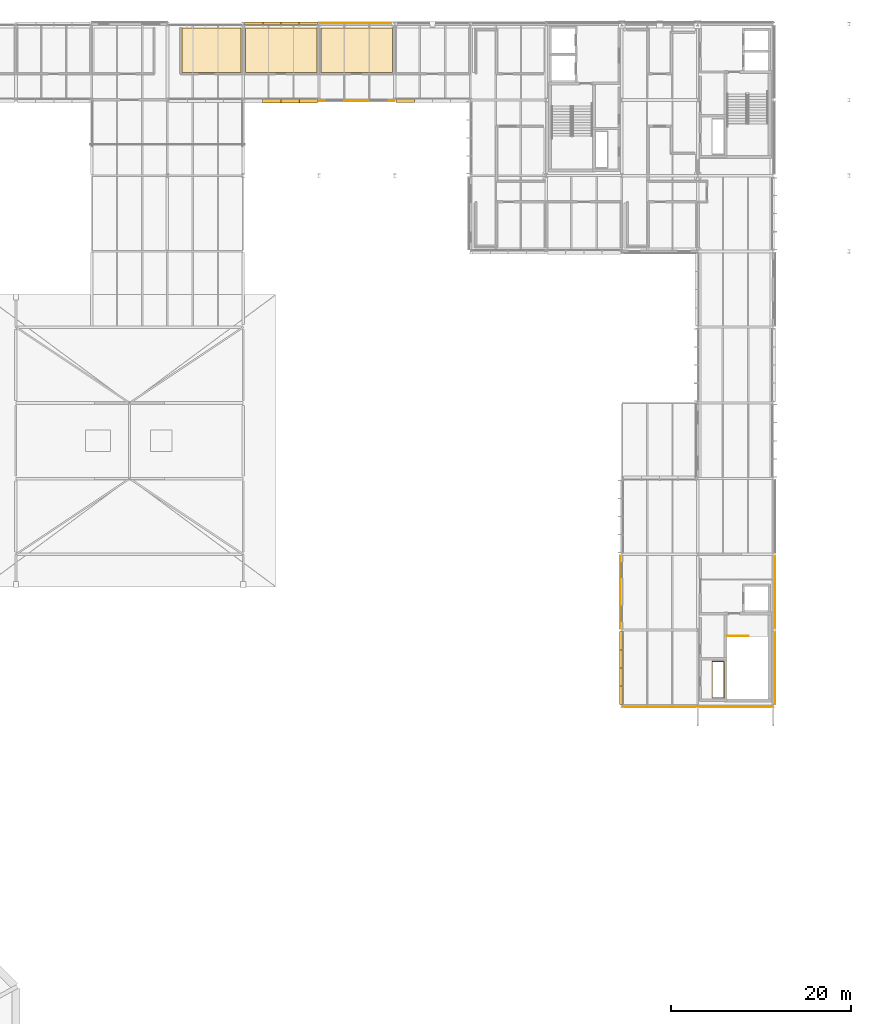
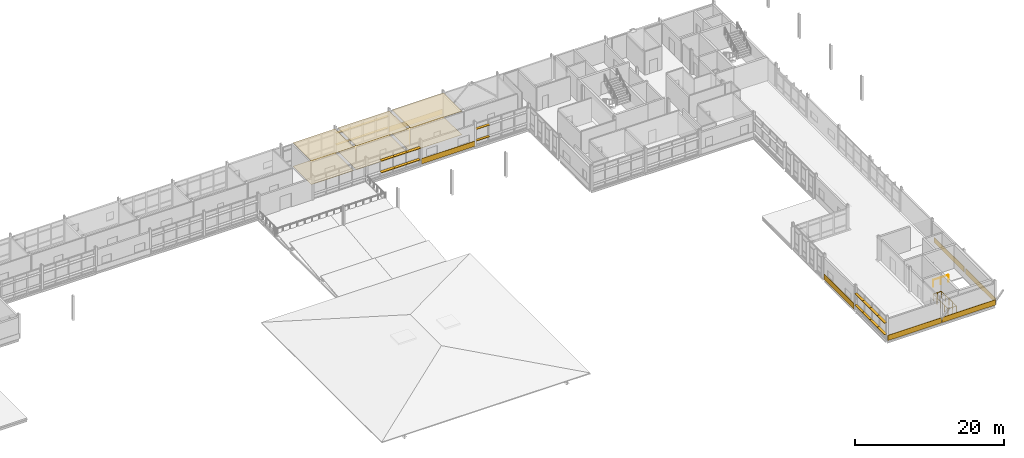
# One storey, part 61 of 66: 24 shading devices, 13 coverings, 2 railings.
"""IFC4 building model written with IfcOpenShell, lengths in metres."""

from ifc_helpers import new_model, si_unit, direction, frame, origin, origin_2d, place, context, subcontext, project, spatial, polyline, rectangle, circle, outline, extrude, material, layer, layer_set, type_object, element, save


model = new_model("IFC4")

# Units and contexts
model_context = context("Model", 3, precision=1e-05, world=origin(), true_north=direction((0.0, 1.0)))
body_context = subcontext(model_context, "Body", "Model", "MODEL_VIEW")
ifc_project = project(units=[si_unit("LENGTHUNIT", "METRE"), si_unit("AREAUNIT", "SQUARE_METRE"), si_unit("VOLUMEUNIT", "CUBIC_METRE"), si_unit("PLANEANGLEUNIT", "RADIAN"), si_unit("MASSUNIT", "GRAM", prefix="KILO")], contexts=[model_context])

# Site, building, storey
site_placement = place(None, origin())
site = spatial("IfcSite", under=ifc_project, at=site_placement, CompositionType="ELEMENT")
building_placement = place(site_placement, origin())
building = spatial("IfcBuilding", under=site, at=building_placement, Name="Mersafa Astral City Hall", CompositionType="ELEMENT")
storey_placement = place(building_placement, frame((0.0, 0.0, 22.050048828125)))
storey = spatial("IfcBuildingStorey", under=building, at=storey_placement, Name="L05", CompositionType="ELEMENT", Elevation=22.050048828125)

# Coverings
ifc_material_1 = material(Name="Cairo Mokattam buff limestone cladding", Category="masonry")
ifc_layer_1 = layer(ifc_material_1, 0.06005859375, Name="Cairo Mokattam buff limestone cladding")
ifc_layer_set_1 = layer_set([ifc_layer_1], Name="Cairo Mokattam buff limestone cladding — ENV-COV-LIMESTONE-60")
covering_type_1 = type_object("IfcCoveringType", Name="ENV-COV-LIMESTONE-60", PredefinedType="CLADDING", material=ifc_layer_set_1)
covering_1_placement = place(storey_placement, frame((159.445556640625, 63.0, 0.0), z_axis=(0.0, 0.0, 1.0), x_axis=(0.0, -1.0, 0.0)))
element("IfcCovering", 1, at=covering_1_placement, inside=storey, type_object=covering_type_1, Name="L05 Cairo buff limestone rainscreen cladding 317", PredefinedType="CLADDING", context=body_context, shape_type="SweptSolid", body=[
    extrude(rectangle(XDim=8.048095703125, YDim=0.06005859375, at=origin_2d()), origin(), (0.0, 0.0, 1.0), 0.860107421875),
])
for number, where, z_axis, x_axis, name in (
    (2, (163.800048828125, 50.2529296875, 0.0), (0.0, 0.0, 1.0), (1.0, 0.0, 0.0), "L05 Cairo buff limestone rainscreen cladding 318"),
    (3, (172.199951171875, 50.260498046875, 0.0), (0.0, 0.0, 1.0), (1.0, 0.0, 0.0), "L05 Cairo buff limestone rainscreen cladding 319"),
):
    element("IfcCovering", number, at=place(storey_placement, frame(where, z_axis=z_axis, x_axis=x_axis)), inside=storey, type_object=covering_type_1, Name=name, PredefinedType="CLADDING", context=body_context, shape_type="SweptSolid", body=[
        extrude(rectangle(XDim=8.323974609375, YDim=0.06005859375, at=origin_2d()), origin(), (0.0, 0.0, 1.0), 0.860107421875),
    ])
for number, where, z_axis, x_axis, name in (
    (4, (176.576904296875, 54.60009765625, 0.0), (0.0, 0.0, 1.0), (0.0, 1.0, 0.0), "L05 Cairo buff limestone rainscreen cladding 320"),
    (5, (176.569580078125, 63.0, 0.0), (0.0, 0.0, 1.0), (0.0, 1.0, 0.0), "L05 Cairo buff limestone rainscreen cladding 321"),
):
    element("IfcCovering", number, at=place(storey_placement, frame(where, z_axis=z_axis, x_axis=x_axis)), inside=storey, type_object=covering_type_1, Name=name, PredefinedType="CLADDING", context=body_context, shape_type="SweptSolid", body=[
        extrude(rectangle(XDim=8.048095703125, YDim=0.06005859375, at=origin_2d()), origin(), (0.0, 0.0, 1.0), 0.860107421875),
    ])
for number, where, z_axis, x_axis, name in (
    (6, (130.199951171875, 126.139404296875, 0.0), (0.0, 0.0, 1.0), (-1.0, 0.0, 0.0), "L05 Cairo buff limestone rainscreen cladding 331"),
    (7, (130.199951171875, 117.46044921875, 0.0), (0.0, 0.0, 1.0), (1.0, 0.0, 0.0), "L05 Cairo buff limestone rainscreen cladding 342"),
):
    element("IfcCovering", number, at=place(storey_placement, frame(where, z_axis=z_axis, x_axis=x_axis)), inside=storey, type_object=covering_type_1, Name=name, PredefinedType="CLADDING", context=body_context, shape_type="SweptSolid", body=[
        extrude(rectangle(XDim=8.323974609375, YDim=0.06005859375, at=origin_2d()), origin(), (0.0, 0.0, 1.0), 0.860107421875),
    ])

# Shading devices
ifc_material_2 = material(Name="Kiln-dried cedar timber brise-soleil blade", Category="wood")
shading_device_type_1 = type_object("IfcShadingDeviceType", Name="ENV-SHD-LOUVRE-380", PredefinedType="JALOUSIE", material=ifc_material_2)
shading_device_1_placement = place(storey_placement, frame((159.52001953125, 57.613525390625, 0.81494140625), z_axis=(0.0, 0.0, 1.0), x_axis=(0.0, -1.0, 0.0)))
element("IfcShadingDevice", 8, at=shading_device_1_placement, inside=storey, type_object=shading_device_type_1, Name="L05 Horizontal cedar brise-soleil louvre 1434", PredefinedType="JALOUSIE", context=body_context, shape_type="SweptSolid", body=[
    extrude(rectangle(XDim=2.029052734375, YDim=0.3798828125, at=origin_2d()), origin(), (0.0, 0.0, 1.0), 0.070068359375),
])
for number, where, z_axis, x_axis, name in (
    (9, (159.52001953125, 55.609619140625, 0.81494140625), (0.0, 0.0, 1.0), (0.0, -1.0, 0.0), "L05 Horizontal cedar brise-soleil louvre 1435"),
    (10, (159.52001953125, 53.590576171875, 0.81494140625), (0.0, 0.0, 1.0), (0.0, -1.0, 0.0), "L05 Horizontal cedar brise-soleil louvre 1436"),
):
    element("IfcShadingDevice", number, at=place(storey_placement, frame(where, z_axis=z_axis, x_axis=x_axis)), inside=storey, type_object=shading_device_type_1, Name=name, PredefinedType="JALOUSIE", context=body_context, shape_type="SweptSolid", body=[
        extrude(rectangle(XDim=2.05908203125, YDim=0.3798828125, at=origin_2d()), origin(), (0.0, 0.0, 1.0), 0.070068359375),
    ])
for number, where, z_axis, x_axis, name in (
    (11, (159.52001953125, 51.58642578125, 0.81494140625), (0.0, 0.0, 1.0), (0.0, -1.0, 0.0), "L05 Horizontal cedar brise-soleil louvre 1437"),
    (12, (159.52001953125, 57.613525390625, 2.71484375), (0.0, 0.0, 1.0), (0.0, -1.0, 0.0), "L05 Horizontal cedar brise-soleil louvre 1438"),
):
    element("IfcShadingDevice", number, at=place(storey_placement, frame(where, z_axis=z_axis, x_axis=x_axis)), inside=storey, type_object=shading_device_type_1, Name=name, PredefinedType="JALOUSIE", context=body_context, shape_type="SweptSolid", body=[
        extrude(rectangle(XDim=2.029052734375, YDim=0.3798828125, at=origin_2d()), origin(), (0.0, 0.0, 1.0), 0.070068359375),
    ])
for number, where, z_axis, x_axis, name in (
    (13, (159.52001953125, 55.609619140625, 2.71484375), (0.0, 0.0, 1.0), (0.0, -1.0, 0.0), "L05 Horizontal cedar brise-soleil louvre 1439"),
    (14, (159.52001953125, 53.590576171875, 2.71484375), (0.0, 0.0, 1.0), (0.0, -1.0, 0.0), "L05 Horizontal cedar brise-soleil louvre 1440"),
):
    element("IfcShadingDevice", number, at=place(storey_placement, frame(where, z_axis=z_axis, x_axis=x_axis)), inside=storey, type_object=shading_device_type_1, Name=name, PredefinedType="JALOUSIE", context=body_context, shape_type="SweptSolid", body=[
        extrude(rectangle(XDim=2.05908203125, YDim=0.3798828125, at=origin_2d()), origin(), (0.0, 0.0, 1.0), 0.070068359375),
    ])
for number, where, z_axis, x_axis, name in (
    (15, (159.52001953125, 51.58642578125, 2.71484375), (0.0, 0.0, 1.0), (0.0, -1.0, 0.0), "L05 Horizontal cedar brise-soleil louvre 1441"),
    (16, (124.8134765625, 126.080078125, 0.81494140625), (0.0, 0.0, 1.0), (-1.0, 0.0, 0.0), "L05 Horizontal cedar brise-soleil louvre 1460"),
):
    element("IfcShadingDevice", number, at=place(storey_placement, frame(where, z_axis=z_axis, x_axis=x_axis)), inside=storey, type_object=shading_device_type_1, Name=name, PredefinedType="JALOUSIE", context=body_context, shape_type="SweptSolid", body=[
        extrude(rectangle(XDim=2.029052734375, YDim=0.3798828125, at=origin_2d()), origin(), (0.0, 0.0, 1.0), 0.070068359375),
    ])
for number, where, z_axis, x_axis, name in (
    (17, (122.8095703125, 126.080078125, 0.81494140625), (0.0, 0.0, 1.0), (-1.0, 0.0, 0.0), "L05 Horizontal cedar brise-soleil louvre 1461"),
    (18, (120.79052734375, 126.080078125, 0.81494140625), (0.0, 0.0, 1.0), (-1.0, 0.0, 0.0), "L05 Horizontal cedar brise-soleil louvre 1462"),
):
    element("IfcShadingDevice", number, at=place(storey_placement, frame(where, z_axis=z_axis, x_axis=x_axis)), inside=storey, type_object=shading_device_type_1, Name=name, PredefinedType="JALOUSIE", context=body_context, shape_type="SweptSolid", body=[
        extrude(rectangle(XDim=2.05908203125, YDim=0.3798828125, at=origin_2d()), origin(), (0.0, 0.0, 1.0), 0.070068359375),
    ])
for number, where, z_axis, x_axis, name in (
    (19, (118.78662109375, 126.080078125, 0.81494140625), (0.0, 0.0, 1.0), (-1.0, 0.0, 0.0), "L05 Horizontal cedar brise-soleil louvre 1463"),
    (20, (124.8134765625, 126.080078125, 2.71484375), (0.0, 0.0, 1.0), (-1.0, 0.0, 0.0), "L05 Horizontal cedar brise-soleil louvre 1464"),
):
    element("IfcShadingDevice", number, at=place(storey_placement, frame(where, z_axis=z_axis, x_axis=x_axis)), inside=storey, type_object=shading_device_type_1, Name=name, PredefinedType="JALOUSIE", context=body_context, shape_type="SweptSolid", body=[
        extrude(rectangle(XDim=2.029052734375, YDim=0.3798828125, at=origin_2d()), origin(), (0.0, 0.0, 1.0), 0.070068359375),
    ])
for number, where, z_axis, x_axis, name in (
    (21, (122.8095703125, 126.080078125, 2.71484375), (0.0, 0.0, 1.0), (-1.0, 0.0, 0.0), "L05 Horizontal cedar brise-soleil louvre 1465"),
    (22, (120.79052734375, 126.080078125, 2.71484375), (0.0, 0.0, 1.0), (-1.0, 0.0, 0.0), "L05 Horizontal cedar brise-soleil louvre 1466"),
):
    element("IfcShadingDevice", number, at=place(storey_placement, frame(where, z_axis=z_axis, x_axis=x_axis)), inside=storey, type_object=shading_device_type_1, Name=name, PredefinedType="JALOUSIE", context=body_context, shape_type="SweptSolid", body=[
        extrude(rectangle(XDim=2.05908203125, YDim=0.3798828125, at=origin_2d()), origin(), (0.0, 0.0, 1.0), 0.070068359375),
    ])
for number, where, z_axis, x_axis, name in (
    (23, (118.78662109375, 126.080078125, 2.71484375), (0.0, 0.0, 1.0), (-1.0, 0.0, 0.0), "L05 Horizontal cedar brise-soleil louvre 1467"),
    (24, (135.58642578125, 117.52001953125, 0.81494140625), (0.0, 0.0, 1.0), (1.0, 0.0, 0.0), "L05 Horizontal cedar brise-soleil louvre 1532"),
    (25, (135.58642578125, 117.52001953125, 2.71484375), (0.0, 0.0, 1.0), (1.0, 0.0, 0.0), "L05 Horizontal cedar brise-soleil louvre 1536"),
):
    element("IfcShadingDevice", number, at=place(storey_placement, frame(where, z_axis=z_axis, x_axis=x_axis)), inside=storey, type_object=shading_device_type_1, Name=name, PredefinedType="JALOUSIE", context=body_context, shape_type="SweptSolid", body=[
        extrude(rectangle(XDim=2.029052734375, YDim=0.3798828125, at=origin_2d()), origin(), (0.0, 0.0, 1.0), 0.070068359375),
    ])
shading_device_type_2 = type_object("IfcShadingDeviceType", Name="ENV-SHD-LOUVRE-450", PredefinedType="JALOUSIE", material=ifc_material_2)
for number, where, z_axis, x_axis, name in (
    (26, (120.79052734375, 117.485107421875, 0.809814453125), (0.0, 0.0, 1.0), (1.0, 0.0, 0.0), "L05 Horizontal cedar brise-soleil louvre 1525"),
    (27, (122.8095703125, 117.485107421875, 0.809814453125), (0.0, 0.0, 1.0), (1.0, 0.0, 0.0), "L05 Horizontal cedar brise-soleil louvre 1526"),
):
    element("IfcShadingDevice", number, at=place(storey_placement, frame(where, z_axis=z_axis, x_axis=x_axis)), inside=storey, type_object=shading_device_type_2, Name=name, PredefinedType="JALOUSIE", context=body_context, shape_type="SweptSolid", body=[
        extrude(rectangle(XDim=2.05908203125, YDim=0.449951171875, at=origin_2d()), origin(), (0.0, 0.0, 1.0), 0.080078125),
    ])
shading_device_2_placement = place(storey_placement, frame((124.8134765625, 117.485107421875, 0.809814453125), z_axis=(0.0, 0.0, 1.0), x_axis=(1.0, 0.0, 0.0)))
element("IfcShadingDevice", 28, at=shading_device_2_placement, inside=storey, type_object=shading_device_type_2, Name="L05 Horizontal cedar brise-soleil louvre 1527", PredefinedType="JALOUSIE", context=body_context, shape_type="SweptSolid", body=[
    extrude(rectangle(XDim=2.029052734375, YDim=0.449951171875, at=origin_2d()), origin(), (0.0, 0.0, 1.0), 0.080078125),
])
for number, where, z_axis, x_axis, name in (
    (29, (120.79052734375, 117.485107421875, 2.7099609375), (0.0, 0.0, 1.0), (1.0, 0.0, 0.0), "L05 Horizontal cedar brise-soleil louvre 1529"),
    (30, (122.8095703125, 117.485107421875, 2.7099609375), (0.0, 0.0, 1.0), (1.0, 0.0, 0.0), "L05 Horizontal cedar brise-soleil louvre 1530"),
):
    element("IfcShadingDevice", number, at=place(storey_placement, frame(where, z_axis=z_axis, x_axis=x_axis)), inside=storey, type_object=shading_device_type_2, Name=name, PredefinedType="JALOUSIE", context=body_context, shape_type="SweptSolid", body=[
        extrude(rectangle(XDim=2.05908203125, YDim=0.449951171875, at=origin_2d()), origin(), (0.0, 0.0, 1.0), 0.080078125),
    ])
shading_device_3_placement = place(storey_placement, frame((124.8134765625, 117.485107421875, 2.7099609375), z_axis=(0.0, 0.0, 1.0), x_axis=(1.0, 0.0, 0.0)))
element("IfcShadingDevice", 31, at=shading_device_3_placement, inside=storey, type_object=shading_device_type_2, Name="L05 Horizontal cedar brise-soleil louvre 1531", PredefinedType="JALOUSIE", context=body_context, shape_type="SweptSolid", body=[
    extrude(rectangle(XDim=2.029052734375, YDim=0.449951171875, at=origin_2d()), origin(), (0.0, 0.0, 1.0), 0.080078125),
])

# Railings
ifc_material_3 = material(Name="Painted architectural steel stair guard balustrade", Category="steel")
railing_type = type_object("IfcRailingType", Name="GUARD-RAIL", PredefinedType="BALUSTRADE", material=ifc_material_3)
railing_1_placement = place(storey_placement, frame((171.260009765625, 58.14990234375, 0.0)))
element("IfcRailing", 32, at=railing_1_placement, inside=storey, type_object=railing_type, Name="L05 ST4 top well guard 1", PredefinedType="BALUSTRADE", context=body_context, shape_type="SweptSolid", body=[
    extrude(circle(Radius=0.02392578125, at=origin_2d()), frame((0.0, 0.0, 1.09619140625), z_axis=(1.0, 0.0, 0.0), x_axis=(0.0, 1.0, 0.0)), (0.0, 0.0, 1.0), 2.360107421875),
    extrude(circle(Radius=0.02099609375, at=origin_2d()), origin(), (0.0, 0.0, 1.0), 1.072021484375),
    extrude(circle(Radius=0.02099609375, at=origin_2d()), frame((1.18017578125, 0.0, 0.0)), (0.0, 0.0, 1.0), 1.072021484375),
    extrude(circle(Radius=0.02099609375, at=origin_2d()), frame((2.360107421875, 0.0, 0.0)), (0.0, 0.0, 1.0), 1.072021484375),
])
railing_2_placement = place(storey_placement, frame((169.6201171875, 51.300048828125, 0.0)))
element("IfcRailing", 33, at=railing_2_placement, inside=storey, type_object=railing_type, Name="L05 K4 MEP Riser Shaft Guard", PredefinedType="BALUSTRADE", context=body_context, shape_type="SweptSolid", body=[
    extrude(circle(Radius=0.02392578125, at=origin_2d()), frame((0.0, 0.0, 1.09619140625), z_axis=(1.0, 0.0, 0.0), x_axis=(0.0, 1.0, 0.0)), (0.0, 0.0, 1.0), 1.27978515625),
    extrude(circle(Radius=0.02392578125, at=origin_2d()), frame((1.27978515625, 0.0, 1.09619140625), z_axis=(0.0, 1.0, 0.0), x_axis=(-1.0, 0.0, 0.0)), (0.0, 0.0, 1.0), 4.0),
    extrude(circle(Radius=0.02392578125, at=origin_2d()), frame((1.27978515625, 4.0, 1.09619140625), z_axis=(-1.0, 0.0, 0.0), x_axis=(0.0, -1.0, 0.0)), (0.0, 0.0, 1.0), 1.27978515625),
    extrude(circle(Radius=0.02392578125, at=origin_2d()), frame((0.0, 4.0, 1.09619140625), z_axis=(0.0, -1.0, 0.0), x_axis=(1.0, 0.0, 0.0)), (0.0, 0.0, 1.0), 4.0),
    extrude(circle(Radius=0.02099609375, at=origin_2d()), origin(), (0.0, 0.0, 1.0), 1.072021484375),
    extrude(circle(Radius=0.02099609375, at=origin_2d()), frame((0.639892578125, 0.0, 0.0)), (0.0, 0.0, 1.0), 1.072021484375),
    extrude(circle(Radius=0.02099609375, at=origin_2d()), frame((1.27978515625, 0.0, 0.0)), (0.0, 0.0, 1.0), 1.072021484375),
    extrude(circle(Radius=0.02099609375, at=origin_2d()), frame((1.27978515625, 1.0, 0.0)), (0.0, 0.0, 1.0), 1.072021484375),
    extrude(circle(Radius=0.02099609375, at=origin_2d()), frame((1.27978515625, 2.0, 0.0)), (0.0, 0.0, 1.0), 1.072021484375),
    extrude(circle(Radius=0.02099609375, at=origin_2d()), frame((1.27978515625, 3.0, 0.0)), (0.0, 0.0, 1.0), 1.072021484375),
    extrude(circle(Radius=0.02099609375, at=origin_2d()), frame((1.27978515625, 4.0, 0.0)), (0.0, 0.0, 1.0), 1.072021484375),
    extrude(circle(Radius=0.02099609375, at=origin_2d()), frame((0.639892578125, 4.0, 0.0)), (0.0, 0.0, 1.0), 1.072021484375),
    extrude(circle(Radius=0.02099609375, at=origin_2d()), frame((0.0, 4.0, 0.0)), (0.0, 0.0, 1.0), 1.072021484375),
    extrude(circle(Radius=0.02099609375, at=origin_2d()), frame((0.0, 3.0, 0.0)), (0.0, 0.0, 1.0), 1.072021484375),
    extrude(circle(Radius=0.02099609375, at=origin_2d()), frame((0.0, 2.0, 0.0)), (0.0, 0.0, 1.0), 1.072021484375),
    extrude(circle(Radius=0.02099609375, at=origin_2d()), frame((0.0, 1.0, 0.0)), (0.0, 0.0, 1.0), 1.072021484375),
])

# Coverings
ifc_material_4 = material(Name="Perforated acoustic gypsum board ceiling", Category="gypsum")
ifc_layer_2 = layer(ifc_material_4, 0.02490234375, Name="Perforated acoustic gypsum board ceiling")
ifc_layer_set_2 = layer_set([ifc_layer_2], Name="Perforated acoustic gypsum board ceiling — INT-COV-CEIL-25")
covering_type_2 = type_object("IfcCoveringType", Name="INT-COV-CEIL-25", PredefinedType="CEILING", material=ifc_layer_set_2)
covering_2_placement = place(storey_placement, frame((0.0, 0.0, 3.85595703125)))
element("IfcCovering", 34, at=covering_2_placement, inside=storey, type_object=covering_type_2, Name="L05 Public Restroom L05-07 acoustic ceiling", PredefinedType="CEILING", context=body_context, shape_type="SweptSolid", body=[
    extrude(outline(polyline([(125.77001953125, 125.60009765625), (125.77001953125, 120.639892578125), (117.830078125, 120.639892578125), (117.830078125, 125.60009765625), (125.77001953125, 125.60009765625)])), origin(), (0.0, 0.0, 1.0), 0.02490234375),
])
covering_3_placement = place(storey_placement, frame((0.0, 0.0, 3.85595703125)))
element("IfcCovering", 35, at=covering_3_placement, inside=storey, type_object=covering_type_2, Name="L05 Executive Secretariat Office L05-08 acoustic ceiling", PredefinedType="CEILING", context=body_context, shape_type="SweptSolid", body=[
    extrude(outline(polyline([(134.169921875, 125.60009765625), (134.169921875, 120.639892578125), (126.22998046875, 120.639892578125), (126.22998046875, 125.60009765625), (134.169921875, 125.60009765625)])), origin(), (0.0, 0.0, 1.0), 0.02490234375),
])
covering_4_placement = place(storey_placement, frame((0.0, 0.0, 3.85595703125)))
element("IfcCovering", 36, at=covering_4_placement, inside=storey, type_object=covering_type_2, Name="L05 Protocol & Civic Events Office L05-13 acoustic ceiling", PredefinedType="CEILING", context=body_context, shape_type="SweptSolid", body=[
    extrude(outline(polyline([(117.3701171875, 125.60009765625), (117.3701171875, 120.639892578125), (110.820068359375, 120.639892578125), (110.820068359375, 125.60009765625), (117.3701171875, 125.60009765625)])), origin(), (0.0, 0.0, 1.0), 0.02490234375),
])
ifc_material_5 = material(Name="Heavy-duty woven acoustic carpet tile", Category="finish")
ifc_layer_3 = layer(ifc_material_5, 0.014892578125, Name="Heavy-duty woven acoustic carpet tile")
ifc_layer_set_3 = layer_set([ifc_layer_3], Name="Heavy-duty woven acoustic carpet tile — INT-COV-FLR-15")
covering_type_3 = type_object("IfcCoveringType", Name="INT-COV-FLR-15", PredefinedType="FLOORING", material=ifc_layer_set_3)
covering_5_placement = place(storey_placement, frame((0.0, 0.0, -0.00146484375)))
element("IfcCovering", 37, at=covering_5_placement, inside=storey, type_object=covering_type_3, Name="L05 Public Restroom L05-07 architectural flooring", PredefinedType="FLOORING", context=body_context, shape_type="SweptSolid", body=[
    extrude(outline(polyline([(125.77001953125, 125.60009765625), (125.77001953125, 120.639892578125), (117.830078125, 120.639892578125), (117.830078125, 125.60009765625), (125.77001953125, 125.60009765625)])), origin(), (0.0, 0.0, 1.0), 0.014892578125),
])
covering_6_placement = place(storey_placement, frame((0.0, 0.0, -0.00146484375)))
element("IfcCovering", 38, at=covering_6_placement, inside=storey, type_object=covering_type_3, Name="L05 Executive Secretariat Office L05-08 architectural flooring", PredefinedType="FLOORING", context=body_context, shape_type="SweptSolid", body=[
    extrude(outline(polyline([(134.169921875, 125.60009765625), (134.169921875, 120.639892578125), (126.22998046875, 120.639892578125), (126.22998046875, 125.60009765625), (134.169921875, 125.60009765625)])), origin(), (0.0, 0.0, 1.0), 0.014892578125),
])
covering_7_placement = place(storey_placement, frame((0.0, 0.0, -0.00146484375)))
element("IfcCovering", 39, at=covering_7_placement, inside=storey, type_object=covering_type_3, Name="L05 Protocol & Civic Events Office L05-13 architectural flooring", PredefinedType="FLOORING", context=body_context, shape_type="SweptSolid", body=[
    extrude(outline(polyline([(117.3701171875, 125.60009765625), (117.3701171875, 120.639892578125), (110.820068359375, 120.639892578125), (110.820068359375, 125.60009765625), (117.3701171875, 125.60009765625)])), origin(), (0.0, 0.0, 1.0), 0.014892578125),
])

save(model, "model.ifc")
